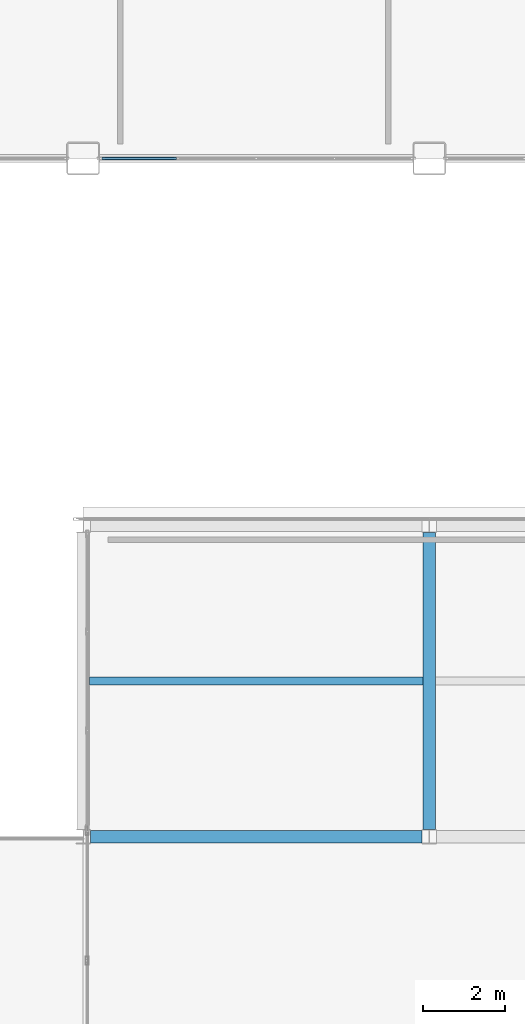
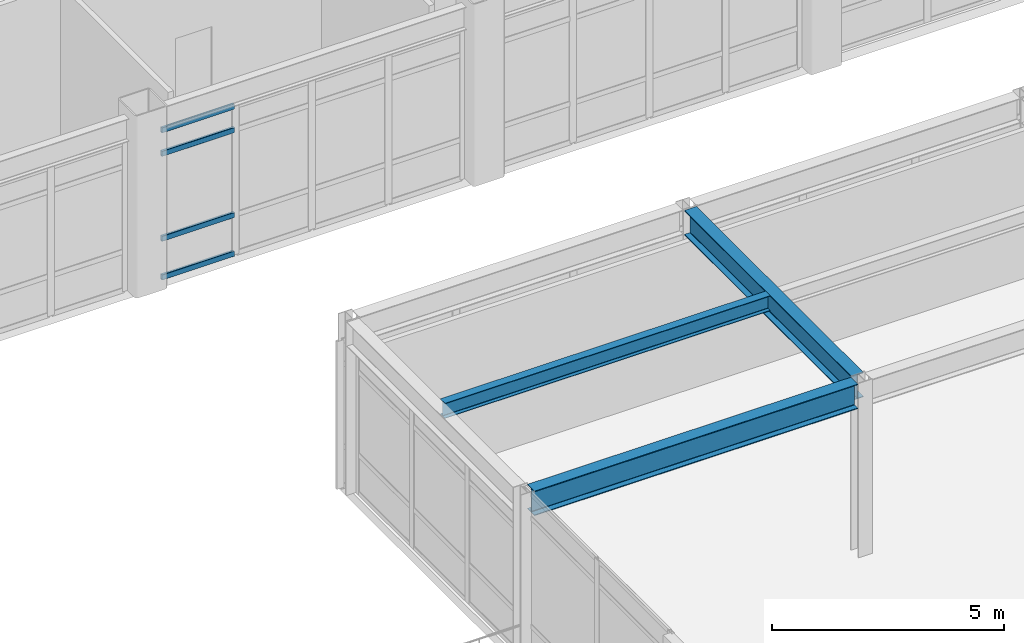
# One storey, part 28 of 154: 4 members, 3 beams, 1 element without a shape of its own.
"""IFC4 building model written with IfcOpenShell, lengths in metres."""

from ifc_helpers import new_model, si_unit, direction, frame, origin, origin_2d, place, context, subcontext, project, spatial, hollow_rectangle, i_section, extrude, material, layer, layer_set, material_profile, profile_set, type_object, element, aggregate, save


model = new_model("IFC4")

# Units and contexts
model_context = context("Model", 3, precision=1e-05, world=origin(), true_north=direction((0.0, 1.0)))
body_context = subcontext(model_context, "Body", "Model", "MODEL_VIEW")
ifc_project = project(units=[si_unit("LENGTHUNIT", "METRE"), si_unit("AREAUNIT", "SQUARE_METRE"), si_unit("VOLUMEUNIT", "CUBIC_METRE"), si_unit("PLANEANGLEUNIT", "RADIAN"), si_unit("MASSUNIT", "GRAM", prefix="KILO")], contexts=[model_context])

# Site, building, storey
site_placement = place(None, origin())
site = spatial("IfcSite", under=ifc_project, at=site_placement, CompositionType="ELEMENT")
building_placement = place(site_placement, origin())
building = spatial("IfcBuilding", under=site, at=building_placement, Name="Kazehara Bluff Congress Hotel", CompositionType="ELEMENT")
storey_placement = place(building_placement, frame((0.0, 0.0, 10.199951171875)))
storey = spatial("IfcBuildingStorey", under=building, at=storey_placement, Name="L02", CompositionType="ELEMENT", Elevation=10.199951171875)

# Curtain wall, members
ifc_material_1 = material(Name="Anodised aluminium", Category="aluminium")
ifc_layer = layer(ifc_material_1, 0.159912109375)
ifc_layer_set = layer_set([ifc_layer], Name="Anodised aluminium")
curtain_wall_type = type_object("IfcCurtainWallType", Name="TP-CW-15", PredefinedType="NOTDEFINED", material=ifc_layer_set)
curtain_wall_placement = place(storey_placement, origin())
curtain_wall = element("IfcCurtainWall", 1, at=curtain_wall_placement, inside=storey, type_object=curtain_wall_type, Name="L02 curtain wall CW-15 CW-V1-L02-Y4845-3400", PredefinedType="NOTDEFINED")
ifc_material_2 = material(Name="Anodised aluminium", Category="aluminium")
ifc_material_profile_1 = material_profile(ifc_material_2, hollow_rectangle(XDim=0.06494140625, YDim=0.139892578125, WallThickness=0.00390625, InnerFilletRadius=0.00390625, OuterFilletRadius=0.008056640625, at=origin_2d()))
ifc_profile_set_1 = profile_set([ifc_material_profile_1], Name="Anodised aluminium")
member_type = type_object("IfcMemberType", Name="TP-CWT-02", PredefinedType="USERDEFINED", material=ifc_profile_set_1)
member_1_placement = place(storey_placement, frame((34.06494140625, 48.449951171875, 0.032470703125), z_axis=(1.0, 0.0, 0.0), x_axis=(0.0, 1.0, 0.0)))
member_1 = element("IfcMember", 2, at=member_1_placement, type_object=member_type, Name="CW-15 transom 1.1", ObjectType="TRANSOM", PredefinedType="USERDEFINED", context=body_context, shape_type="SweptSolid", body=[
    extrude(hollow_rectangle(XDim=0.06494140625, YDim=0.139892578125, WallThickness=0.00390625, InnerFilletRadius=0.00390625, OuterFilletRadius=0.008056640625, at=origin_2d()), origin(), (0.0, 0.0, 1.0), 1.802490234375),
])
member_2_placement = place(storey_placement, frame((34.06494140625, 48.449951171875, 1.050048828125), z_axis=(1.0, 0.0, 0.0), x_axis=(0.0, 1.0, 0.0)))
member_2 = element("IfcMember", 3, at=member_2_placement, type_object=member_type, Name="CW-15 transom 1.2", ObjectType="TRANSOM", PredefinedType="USERDEFINED", context=body_context, shape_type="SweptSolid", body=[
    extrude(hollow_rectangle(XDim=0.06494140625, YDim=0.139892578125, WallThickness=0.00390625, InnerFilletRadius=0.00390625, OuterFilletRadius=0.008056640625, at=origin_2d()), origin(), (0.0, 0.0, 1.0), 1.802490234375),
])
member_3_placement = place(storey_placement, frame((34.06494140625, 48.449951171875, 3.28515625), z_axis=(1.0, 0.0, 0.0), x_axis=(0.0, 1.0, 0.0)))
member_3 = element("IfcMember", 4, at=member_3_placement, type_object=member_type, Name="CW-15 transom 1.3", ObjectType="TRANSOM", PredefinedType="USERDEFINED", context=body_context, shape_type="SweptSolid", body=[
    extrude(hollow_rectangle(XDim=0.06494140625, YDim=0.139892578125, WallThickness=0.00390625, InnerFilletRadius=0.00390625, OuterFilletRadius=0.008056640625, at=origin_2d()), origin(), (0.0, 0.0, 1.0), 1.802490234375),
])
member_4_placement = place(storey_placement, frame((34.06494140625, 48.449951171875, 3.902587890625), z_axis=(1.0, 0.0, 0.0), x_axis=(0.0, 1.0, 0.0)))
member_4 = element("IfcMember", 5, at=member_4_placement, type_object=member_type, Name="CW-15 transom 1.4", ObjectType="TRANSOM", PredefinedType="USERDEFINED", context=body_context, shape_type="SweptSolid", body=[
    extrude(hollow_rectangle(XDim=0.06494140625, YDim=0.139892578125, WallThickness=0.00390625, InnerFilletRadius=0.00390625, OuterFilletRadius=0.008056640625, at=origin_2d()), origin(), (0.0, 0.0, 1.0), 1.802490234375),
])
aggregate(curtain_wall, [member_1, member_2, member_3, member_4])

# Beams
ifc_material_3 = material(Name="Steel SN490B", Category="steel")
ifc_material_profile_2 = material_profile(ifc_material_3, i_section(OverallWidth=0.300048828125, OverallDepth=0.64990234375, WebThickness=0.011962890625, FlangeThickness=0.02001953125, FilletRadius=0.012939453125, at=origin_2d()))
ifc_profile_set_2 = profile_set([ifc_material_profile_2], Name="Steel SN490B")
beam_type_1 = type_object("IfcBeamType", Name="TP-G-03", PredefinedType="BEAM", material=ifc_profile_set_2)
beam_1_placement = place(storey_placement, frame((42.0, 32.175048828125, 4.235107421875), z_axis=(0.0, 1.0, 0.0), x_axis=(-1.0, 0.0, 0.0)))
element("IfcBeam", 6, at=beam_1_placement, inside=storey, type_object=beam_type_1, Name="L02 girder G-03 42", PredefinedType="BEAM", context=body_context, shape_type="SweptSolid", body=[
    extrude(i_section(OverallWidth=0.300048828125, OverallDepth=0.64990234375, WebThickness=0.011962890625, FlangeThickness=0.02001953125, FilletRadius=0.012939453125, at=origin_2d()), origin(), (0.0, 0.0, 1.0), 7.199951171875),
])
beam_2_placement = place(storey_placement, frame((33.77490234375, 32.0, 4.235107421875), z_axis=(1.0, 0.0, 0.0), x_axis=(0.0, 1.0, 0.0)))
element("IfcBeam", 7, at=beam_2_placement, inside=storey, type_object=beam_type_1, Name="L02 girder G-03 51", PredefinedType="BEAM", context=body_context, shape_type="SweptSolid", body=[
    extrude(i_section(OverallWidth=0.300048828125, OverallDepth=0.64990234375, WebThickness=0.011962890625, FlangeThickness=0.02001953125, FilletRadius=0.012939453125, at=origin_2d()), origin(), (0.0, 0.0, 1.0), 8.050048828125),
])
ifc_material_4 = material(Name="Steel SN400B", Category="steel")
ifc_material_profile_3 = material_profile(ifc_material_4, i_section(OverallWidth=0.199951171875, OverallDepth=0.39990234375, WebThickness=0.008056640625, FlangeThickness=0.012939453125, FilletRadius=0.012939453125, at=origin_2d()))
ifc_profile_set_3 = profile_set([ifc_material_profile_3], Name="Steel SN400B")
beam_type_2 = type_object("IfcBeamType", Name="TP-J-03", PredefinedType="JOIST", material=ifc_profile_set_3)
beam_3_placement = place(storey_placement, frame((33.75, 35.77490234375, 4.360107421875), z_axis=(1.0, 0.0, 0.0), x_axis=(0.0, 1.0, 0.0)))
element("IfcBeam", 8, at=beam_3_placement, inside=storey, type_object=beam_type_2, Name="L02 secondary joist J-03 1", PredefinedType="JOIST", context=body_context, shape_type="SweptSolid", body=[
    extrude(i_section(OverallWidth=0.199951171875, OverallDepth=0.39990234375, WebThickness=0.008056640625, FlangeThickness=0.012939453125, FilletRadius=0.012939453125, at=origin_2d()), origin(), (0.0, 0.0, 1.0), 8.10009765625),
])

save(model, "model.ifc")
